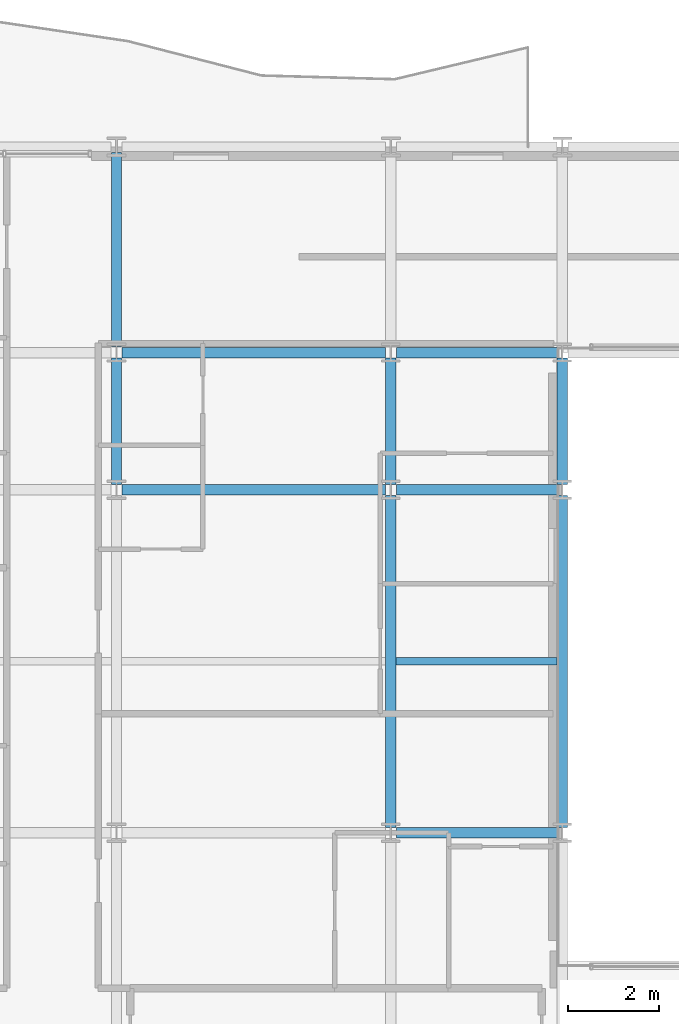
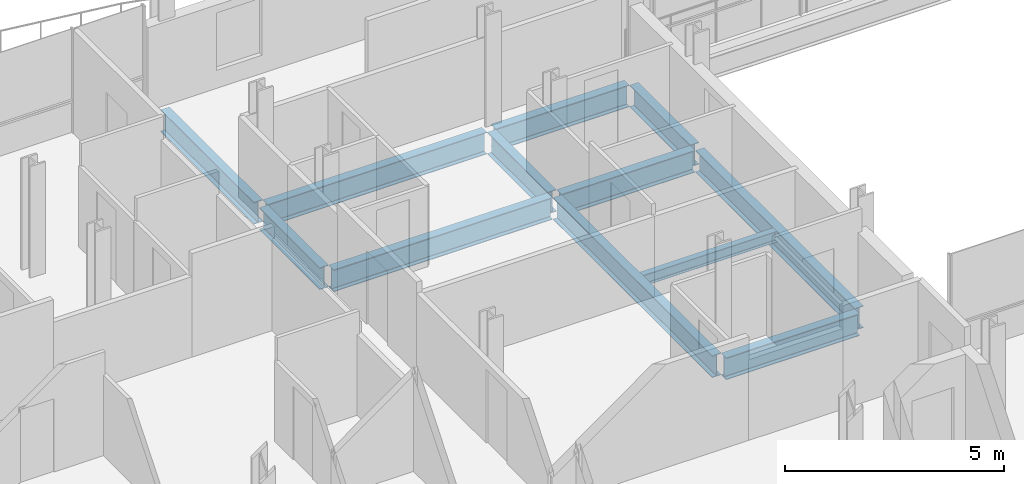
# One storey, part 8 of 40: 12 beams.
"""IFC4 building model written with IfcOpenShell, lengths in metres."""

from ifc_helpers import new_model, si_unit, direction, frame, origin, origin_2d, place, context, subcontext, project, spatial, i_section, extrude, material, material_profile, profile_set, type_object, element, save


model = new_model("IFC4")

# Units and contexts
model_context = context("Model", 3, precision=1e-05, world=origin(), true_north=direction((0.0, 1.0)))
body_context = subcontext(model_context, "Body", "Model", "MODEL_VIEW")
ifc_project = project(units=[si_unit("LENGTHUNIT", "METRE"), si_unit("AREAUNIT", "SQUARE_METRE"), si_unit("VOLUMEUNIT", "CUBIC_METRE"), si_unit("PLANEANGLEUNIT", "RADIAN"), si_unit("MASSUNIT", "GRAM", prefix="KILO")], contexts=[model_context])

# Site, building, storey
site_placement = place(None, origin())
site = spatial("IfcSite", under=ifc_project, at=site_placement, CompositionType="ELEMENT")
building_placement = place(site_placement, origin())
building = spatial("IfcBuilding", under=site, at=building_placement, Name="Brevholm Reach", CompositionType="ELEMENT")
storey_placement = place(building_placement, frame((0.0, 0.0, 119.0)))
storey = spatial("IfcBuildingStorey", under=building, at=storey_placement, Name="L35", CompositionType="ELEMENT", Elevation=119.0)

# Beams
ifc_material_1 = material(Name="Structural Steel S355J2", Category="steel")
ifc_material_profile_1 = material_profile(ifc_material_1, i_section(OverallWidth=0.1650390625, OverallDepth=0.303466796875, WebThickness=0.006103515625, FlangeThickness=0.01025390625, FilletRadius=0.0087890625, at=origin_2d()), Name="UKB 305x165x40")
ifc_profile_set_1 = profile_set([ifc_material_profile_1], Name="Structural Steel S355J2")
beam_type_1 = type_object("IfcBeamType", Name="BM-B305", PredefinedType="BEAM", material=ifc_profile_set_1)
beam_1_placement = place(storey_placement, frame((18.114501953125, 19.75, -0.37158203125), z_axis=(1.0, 0.0, 0.0), x_axis=(0.0, 1.0, 0.0)))
element("IfcBeam", 1, at=beam_1_placement, inside=storey, type_object=beam_type_1, Name="L35 Composite Secondary Floor Beam", PredefinedType="BEAM", context=body_context, shape_type="SweptSolid", body=[
    extrude(i_section(OverallWidth=0.1650390625, OverallDepth=0.303466796875, WebThickness=0.006103515625, FlangeThickness=0.01025390625, FilletRadius=0.0087890625, at=origin_2d()), origin(), (0.0, 0.0, 1.0), 3.52099609375),
])
ifc_material_2 = material(Name="Structural Steel S355J2", Category="steel")
ifc_material_profile_2 = material_profile(ifc_material_2, i_section(OverallWidth=0.22900390625, OverallDepth=0.6123046875, WebThickness=0.011962890625, FlangeThickness=0.01953125, FilletRadius=0.0126953125, at=origin_2d()), Name="UKB 610x229x125")
ifc_profile_set_2 = profile_set([ifc_material_profile_2], Name="Structural Steel S355J2")
beam_type_2 = type_object("IfcBeamType", Name="BM-SP610", PredefinedType="SPANDREL", material=ifc_profile_set_2)
beam_2_placement = place(storey_placement, frame((18.1201171875, 16.0, -0.526123046875), z_axis=(1.0, 0.0, 0.0), x_axis=(0.0, 1.0, 0.0)))
element("IfcBeam", 2, at=beam_2_placement, inside=storey, type_object=beam_type_2, Name="L35 SP-01 Framing Beam", PredefinedType="SPANDREL", context=body_context, shape_type="SweptSolid", body=[
    extrude(i_section(OverallWidth=0.22900390625, OverallDepth=0.6123046875, WebThickness=0.011962890625, FlangeThickness=0.01953125, FilletRadius=0.0126953125, at=origin_2d()), origin(), (0.0, 0.0, 1.0), 3.509765625),
])
beam_3_placement = place(storey_placement, frame((12.1201171875, 23.5, -0.526123046875), z_axis=(1.0, 0.0, 0.0), x_axis=(0.0, 1.0, 0.0)))
element("IfcBeam", 3, at=beam_3_placement, inside=storey, type_object=beam_type_2, Name="L35 SP-01 Framing Beam", PredefinedType="SPANDREL", context=body_context, shape_type="SweptSolid", body=[
    extrude(i_section(OverallWidth=0.22900390625, OverallDepth=0.6123046875, WebThickness=0.011962890625, FlangeThickness=0.01953125, FilletRadius=0.0126953125, at=origin_2d()), origin(), (0.0, 0.0, 1.0), 5.759765625),
])
beam_4_placement = place(storey_placement, frame((18.1201171875, 23.5, -0.526123046875), z_axis=(1.0, 0.0, 0.0), x_axis=(0.0, 1.0, 0.0)))
element("IfcBeam", 4, at=beam_4_placement, inside=storey, type_object=beam_type_2, Name="L35 SP-01 Framing Beam", PredefinedType="SPANDREL", context=body_context, shape_type="SweptSolid", body=[
    extrude(i_section(OverallWidth=0.22900390625, OverallDepth=0.6123046875, WebThickness=0.011962890625, FlangeThickness=0.01953125, FilletRadius=0.0126953125, at=origin_2d()), origin(), (0.0, 0.0, 1.0), 3.509765625),
])
beam_5_placement = place(storey_placement, frame((12.1201171875, 26.5, -0.526123046875), z_axis=(1.0, 0.0, 0.0), x_axis=(0.0, 1.0, 0.0)))
element("IfcBeam", 5, at=beam_5_placement, inside=storey, type_object=beam_type_2, Name="L35 SP-01 Framing Beam", PredefinedType="SPANDREL", context=body_context, shape_type="SweptSolid", body=[
    extrude(i_section(OverallWidth=0.22900390625, OverallDepth=0.6123046875, WebThickness=0.011962890625, FlangeThickness=0.01953125, FilletRadius=0.0126953125, at=origin_2d()), origin(), (0.0, 0.0, 1.0), 5.759765625),
])
beam_6_placement = place(storey_placement, frame((18.1201171875, 26.5, -0.526123046875), z_axis=(1.0, 0.0, 0.0), x_axis=(0.0, 1.0, 0.0)))
element("IfcBeam", 6, at=beam_6_placement, inside=storey, type_object=beam_type_2, Name="L35 SP-01 Framing Beam", PredefinedType="SPANDREL", context=body_context, shape_type="SweptSolid", body=[
    extrude(i_section(OverallWidth=0.22900390625, OverallDepth=0.6123046875, WebThickness=0.011962890625, FlangeThickness=0.01953125, FilletRadius=0.0126953125, at=origin_2d()), origin(), (0.0, 0.0, 1.0), 3.509765625),
])
beam_7_placement = place(storey_placement, frame((12.0, 23.6201171875, -0.526123046875), z_axis=(0.0, 1.0, 0.0), x_axis=(-1.0, 0.0, 0.0)))
element("IfcBeam", 7, at=beam_7_placement, inside=storey, type_object=beam_type_2, Name="L35 SP-01 Framing Beam", PredefinedType="SPANDREL", context=body_context, shape_type="SweptSolid", body=[
    extrude(i_section(OverallWidth=0.22900390625, OverallDepth=0.6123046875, WebThickness=0.011962890625, FlangeThickness=0.01953125, FilletRadius=0.0126953125, at=origin_2d()), origin(), (0.0, 0.0, 1.0), 2.759765625),
])
beam_8_placement = place(storey_placement, frame((12.0, 26.6201171875, -0.526123046875), z_axis=(0.0, 1.0, 0.0), x_axis=(-1.0, 0.0, 0.0)))
element("IfcBeam", 8, at=beam_8_placement, inside=storey, type_object=beam_type_2, Name="L35 SP-01 Framing Beam", PredefinedType="SPANDREL", context=body_context, shape_type="SweptSolid", body=[
    extrude(i_section(OverallWidth=0.22900390625, OverallDepth=0.6123046875, WebThickness=0.011962890625, FlangeThickness=0.01953125, FilletRadius=0.0126953125, at=origin_2d()), origin(), (0.0, 0.0, 1.0), 4.259765625),
])
beam_9_placement = place(storey_placement, frame((18.0, 16.1201171875, -0.526123046875), z_axis=(0.0, 1.0, 0.0), x_axis=(-1.0, 0.0, 0.0)))
element("IfcBeam", 9, at=beam_9_placement, inside=storey, type_object=beam_type_2, Name="L35 SP-01 Framing Beam", PredefinedType="SPANDREL", context=body_context, shape_type="SweptSolid", body=[
    extrude(i_section(OverallWidth=0.22900390625, OverallDepth=0.6123046875, WebThickness=0.011962890625, FlangeThickness=0.01953125, FilletRadius=0.0126953125, at=origin_2d()), origin(), (0.0, 0.0, 1.0), 7.259765625),
])
beam_10_placement = place(storey_placement, frame((18.0, 23.6201171875, -0.526123046875), z_axis=(0.0, 1.0, 0.0), x_axis=(-1.0, 0.0, 0.0)))
element("IfcBeam", 10, at=beam_10_placement, inside=storey, type_object=beam_type_2, Name="L35 SP-01 Framing Beam", PredefinedType="SPANDREL", context=body_context, shape_type="SweptSolid", body=[
    extrude(i_section(OverallWidth=0.22900390625, OverallDepth=0.6123046875, WebThickness=0.011962890625, FlangeThickness=0.01953125, FilletRadius=0.0126953125, at=origin_2d()), origin(), (0.0, 0.0, 1.0), 2.759765625),
])
beam_11_placement = place(storey_placement, frame((21.75, 16.1201171875, -0.526123046875), z_axis=(0.0, 1.0, 0.0), x_axis=(-1.0, 0.0, 0.0)))
element("IfcBeam", 11, at=beam_11_placement, inside=storey, type_object=beam_type_2, Name="L35 SP-01 Framing Beam", PredefinedType="SPANDREL", context=body_context, shape_type="SweptSolid", body=[
    extrude(i_section(OverallWidth=0.22900390625, OverallDepth=0.6123046875, WebThickness=0.011962890625, FlangeThickness=0.01953125, FilletRadius=0.0126953125, at=origin_2d()), origin(), (0.0, 0.0, 1.0), 7.259765625),
])
beam_12_placement = place(storey_placement, frame((21.75, 23.6201171875, -0.526123046875), z_axis=(0.0, 1.0, 0.0), x_axis=(-1.0, 0.0, 0.0)))
element("IfcBeam", 12, at=beam_12_placement, inside=storey, type_object=beam_type_2, Name="L35 SP-01 Framing Beam", PredefinedType="SPANDREL", context=body_context, shape_type="SweptSolid", body=[
    extrude(i_section(OverallWidth=0.22900390625, OverallDepth=0.6123046875, WebThickness=0.011962890625, FlangeThickness=0.01953125, FilletRadius=0.0126953125, at=origin_2d()), origin(), (0.0, 0.0, 1.0), 2.759765625),
])

save(model, "model.ifc")
